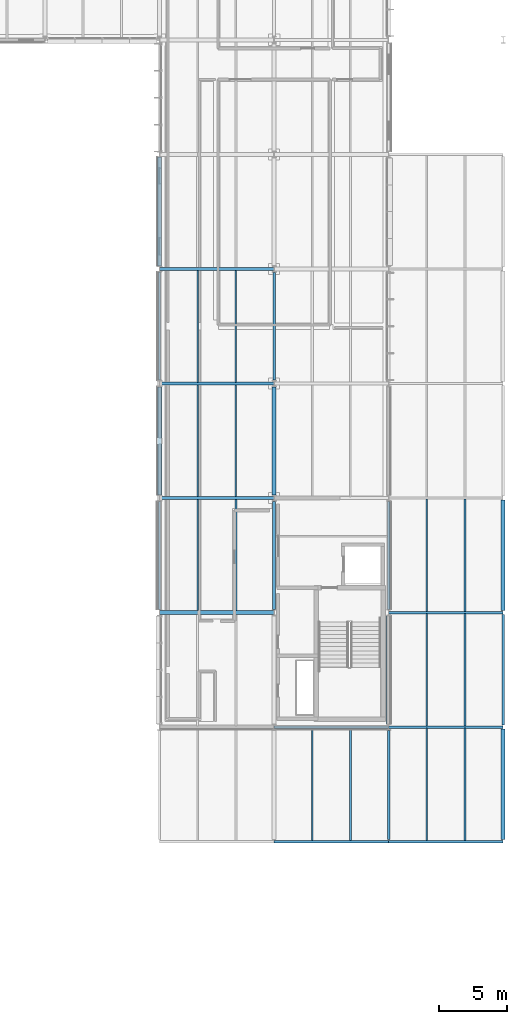
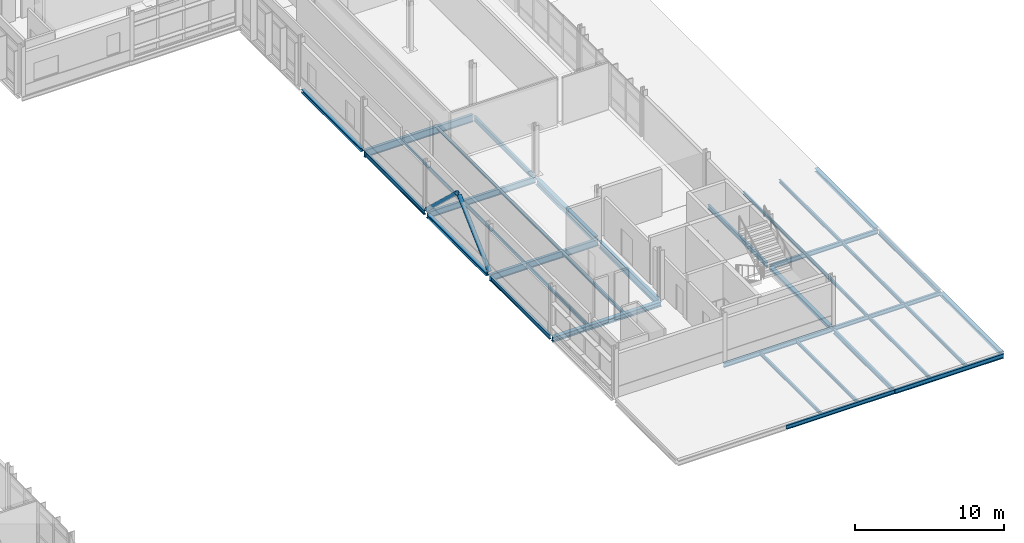
# One storey, part 92 of 151: 36 beams, 2 members.
"""IFC4 building model written with IfcOpenShell, lengths in metres."""

from ifc_helpers import new_model, si_unit, direction, frame, origin, origin_2d, place, context, subcontext, project, spatial, hollow_circle, i_section, extrude, material, material_profile, profile_set, type_object, element, save


model = new_model("IFC4")

# Units and contexts
model_context = context("Model", 3, precision=1e-05, world=origin(), true_north=direction((0.0, 1.0)))
body_context = subcontext(model_context, "Body", "Model", "MODEL_VIEW")
ifc_project = project(units=[si_unit("LENGTHUNIT", "METRE"), si_unit("AREAUNIT", "SQUARE_METRE"), si_unit("VOLUMEUNIT", "CUBIC_METRE"), si_unit("PLANEANGLEUNIT", "RADIAN"), si_unit("MASSUNIT", "GRAM", prefix="KILO")], contexts=[model_context])

# Site, building, storey
site_placement = place(None, origin())
site = spatial("IfcSite", under=ifc_project, at=site_placement, CompositionType="ELEMENT")
building_placement = place(site_placement, origin())
building = spatial("IfcBuilding", under=site, at=building_placement, Name="Mersafa Astral City Hall", CompositionType="ELEMENT")
storey_placement = place(building_placement, frame((0.0, 0.0, 9.89990234375)))
storey = spatial("IfcBuildingStorey", under=building, at=storey_placement, Name="L02", CompositionType="ELEMENT", Elevation=9.89990234375)

# Beams
ifc_material = material(Name="Steel S355", Category="steel")
ifc_material_profile_1 = material_profile(ifc_material, i_section(OverallWidth=0.300048828125, OverallDepth=0.389892578125, WebThickness=0.010986328125, FlangeThickness=0.01904296875, FilletRadius=0.027099609375, at=origin_2d()), Name="HEA 400")
ifc_profile_set_1 = profile_set([ifc_material_profile_1], Name="Steel S355")
beam_type_1 = type_object("IfcBeamType", Name="STR-BM-HEA400", PredefinedType="BEAM", material=ifc_profile_set_1)
beam_1_placement = place(storey_placement, frame((159.60302734375, 58.800048828125, -0.39501953125), z_axis=(1.0, 0.0, 0.0), x_axis=(0.0, 1.0, 0.0)))
element("IfcBeam", 1, at=beam_1_placement, inside=storey, type_object=beam_type_1, Name="L02 Primary girder X 19-7", PredefinedType="BEAM", context=body_context, shape_type="SweptSolid", body=[
    extrude(i_section(OverallWidth=0.300048828125, OverallDepth=0.389892578125, WebThickness=0.010986328125, FlangeThickness=0.01904296875, FilletRadius=0.027099609375, at=origin_2d()), origin(), (0.0, 0.0, 1.0), 8.39404296875),
])
ifc_material_profile_2 = material_profile(ifc_material, i_section(OverallWidth=0.300048828125, OverallDepth=0.489990234375, WebThickness=0.011962890625, FlangeThickness=0.02294921875, FilletRadius=0.027099609375, at=origin_2d()), Name="HEA 500")
ifc_profile_set_2 = profile_set([ifc_material_profile_2], Name="Steel S355")
beam_type_2 = type_object("IfcBeamType", Name="STR-BM-HEA500", PredefinedType="BEAM", material=ifc_profile_set_2)
beam_2_placement = place(storey_placement, frame((168.0, 67.445068359375, -0.44482421875), z_axis=(0.0, 1.0, 0.0), x_axis=(-1.0, 0.0, 0.0)))
element("IfcBeam", 2, at=beam_2_placement, inside=storey, type_object=beam_type_2, Name="L02 Primary girder Y 20-8", PredefinedType="BEAM", context=body_context, shape_type="SweptSolid", body=[
    extrude(i_section(OverallWidth=0.300048828125, OverallDepth=0.489990234375, WebThickness=0.011962890625, FlangeThickness=0.02294921875, FilletRadius=0.027099609375, at=origin_2d()), origin(), (0.0, 0.0, 1.0), 7.909912109375),
])
ifc_material_profile_3 = material_profile(ifc_material, i_section(OverallWidth=0.179931640625, OverallDepth=0.39990234375, WebThickness=0.008544921875, FlangeThickness=0.013427734375, FilletRadius=0.02099609375, at=origin_2d()), Name="IPE 400")
ifc_profile_set_3 = profile_set([ifc_material_profile_3], Name="Steel S355")
beam_type_3 = type_object("IfcBeamType", Name="STR-BM-IPE400", PredefinedType="BEAM", material=ifc_profile_set_3)
beam_3_placement = place(storey_placement, frame((168.0, 75.844970703125, -0.39990234375), z_axis=(0.0, 1.0, 0.0), x_axis=(-1.0, 0.0, 0.0)))
element("IfcBeam", 3, at=beam_3_placement, inside=storey, type_object=beam_type_3, Name="L02 Primary girder Y 20-9", PredefinedType="BEAM", context=body_context, shape_type="SweptSolid", body=[
    extrude(i_section(OverallWidth=0.179931640625, OverallDepth=0.39990234375, WebThickness=0.008544921875, FlangeThickness=0.013427734375, FilletRadius=0.02099609375, at=origin_2d()), origin(), (0.0, 0.0, 1.0), 7.909912109375),
])
ifc_material_profile_4 = material_profile(ifc_material, i_section(OverallWidth=0.199951171875, OverallDepth=0.5, WebThickness=0.01025390625, FlangeThickness=0.01611328125, FilletRadius=0.02099609375, at=origin_2d()), Name="IPE 500")
ifc_profile_set_4 = profile_set([ifc_material_profile_4], Name="Steel S355")
beam_type_4 = type_object("IfcBeamType", Name="STR-BM-IPE500", PredefinedType="BEAM", material=ifc_profile_set_4)
beam_4_placement = place(storey_placement, frame((159.60302734375, 75.60009765625, -0.449951171875), z_axis=(1.0, 0.0, 0.0), x_axis=(0.0, 1.0, 0.0)))
element("IfcBeam", 4, at=beam_4_placement, inside=storey, type_object=beam_type_4, Name="L02 Primary girder X 19-9", PredefinedType="BEAM", context=body_context, shape_type="SweptSolid", body=[
    extrude(i_section(OverallWidth=0.199951171875, OverallDepth=0.5, WebThickness=0.01025390625, FlangeThickness=0.01611328125, FilletRadius=0.02099609375, at=origin_2d()), origin(), (0.0, 0.0, 1.0), 8.39404296875),
])
ifc_material_profile_5 = material_profile(ifc_material, i_section(OverallWidth=0.2099609375, OverallDepth=0.550048828125, WebThickness=0.010986328125, FlangeThickness=0.01708984375, FilletRadius=0.02392578125, at=origin_2d()), Name="IPE 550")
ifc_profile_set_5 = profile_set([ifc_material_profile_5], Name="Steel S355")
beam_type_5 = type_object("IfcBeamType", Name="STR-BM-IPE550", PredefinedType="BEAM", material=ifc_profile_set_5)
beam_5_placement = place(storey_placement, frame((159.60302734375, 67.199951171875, -0.474853515625), z_axis=(1.0, 0.0, 0.0), x_axis=(0.0, 1.0, 0.0)))
element("IfcBeam", 5, at=beam_5_placement, inside=storey, type_object=beam_type_5, Name="L02 Primary girder X 19-8", PredefinedType="BEAM", context=body_context, shape_type="SweptSolid", body=[
    extrude(i_section(OverallWidth=0.2099609375, OverallDepth=0.550048828125, WebThickness=0.010986328125, FlangeThickness=0.01708984375, FilletRadius=0.02392578125, at=origin_2d()), origin(), (0.0, 0.0, 1.0), 8.39404296875),
])
ifc_material_profile_6 = material_profile(ifc_material, i_section(OverallWidth=0.219970703125, OverallDepth=0.60009765625, WebThickness=0.011962890625, FlangeThickness=0.01904296875, FilletRadius=0.02392578125, at=origin_2d()), Name="IPE 600")
ifc_profile_set_6 = profile_set([ifc_material_profile_6], Name="Steel S355")
beam_type_6 = type_object("IfcBeamType", Name="STR-BM-IPE600", PredefinedType="BEAM", material=ifc_profile_set_6)
beam_6_placement = place(storey_placement, frame((159.60302734375, 84.0, -0.5), z_axis=(1.0, 0.0, 0.0), x_axis=(0.0, 1.0, 0.0)))
element("IfcBeam", 6, at=beam_6_placement, inside=storey, type_object=beam_type_6, Name="L02 Primary girder X 19-10", PredefinedType="BEAM", context=body_context, shape_type="SweptSolid", body=[
    extrude(i_section(OverallWidth=0.219970703125, OverallDepth=0.60009765625, WebThickness=0.011962890625, FlangeThickness=0.01904296875, FilletRadius=0.02392578125, at=origin_2d()), origin(), (0.0, 0.0, 1.0), 8.39404296875),
])
beam_7_placement = place(storey_placement, frame((168.0, 59.044921875, -0.5), z_axis=(0.0, 1.0, 0.0), x_axis=(-1.0, 0.0, 0.0)))
element("IfcBeam", 7, at=beam_7_placement, inside=storey, type_object=beam_type_6, Name="L02 Primary girder Y 20-7", PredefinedType="BEAM", context=body_context, shape_type="SweptSolid", body=[
    extrude(i_section(OverallWidth=0.219970703125, OverallDepth=0.60009765625, WebThickness=0.011962890625, FlangeThickness=0.01904296875, FilletRadius=0.02392578125, at=origin_2d()), origin(), (0.0, 0.0, 1.0), 7.91015625),
])
ifc_material_profile_7 = material_profile(ifc_material, i_section(OverallWidth=0.110107421875, OverallDepth=0.219970703125, WebThickness=0.005859375, FlangeThickness=0.00927734375, FilletRadius=0.011962890625, at=origin_2d()), Name="IPE 220")
ifc_profile_set_7 = profile_set([ifc_material_profile_7], Name="Steel S355")
beam_type_7 = type_object("IfcBeamType", Name="STR-BM-JOIST-IPE220", PredefinedType="JOIST", material=ifc_profile_set_7)
for number, where, z_axis, x_axis, name in (
    (8, (162.39990234375, 75.695068359375, -0.309814453125), (0.0, 1.0, 0.0), (-1.0, 0.0, 0.0), "L02 Composite secondary floor joist 528"),
    (9, (165.199951171875, 75.695068359375, -0.309814453125), (0.0, 1.0, 0.0), (-1.0, 0.0, 0.0), "L02 Composite secondary floor joist 529"),
):
    element("IfcBeam", number, at=place(storey_placement, frame(where, z_axis=z_axis, x_axis=x_axis)), inside=storey, type_object=beam_type_7, Name=name, PredefinedType="JOIST", context=body_context, shape_type="SweptSolid", body=[
        extrude(i_section(OverallWidth=0.110107421875, OverallDepth=0.219970703125, WebThickness=0.005859375, FlangeThickness=0.00927734375, FilletRadius=0.011962890625, at=origin_2d()), origin(), (0.0, 0.0, 1.0), 8.199951171875),
    ])
ifc_material_profile_8 = material_profile(ifc_material, i_section(OverallWidth=0.1201171875, OverallDepth=0.239990234375, WebThickness=0.006103515625, FlangeThickness=0.009765625, FilletRadius=0.014892578125, at=origin_2d()), Name="IPE 240")
ifc_profile_set_8 = profile_set([ifc_material_profile_8], Name="Steel S355")
beam_type_8 = type_object("IfcBeamType", Name="STR-BM-JOIST-IPE240", PredefinedType="JOIST", material=ifc_profile_set_8)
for number, where, z_axis, x_axis, name in (
    (10, (162.39990234375, 67.300048828125, -0.31982421875), (0.0, 1.0, 0.0), (-1.0, 0.0, 0.0), "L02 Composite secondary floor joist 526"),
    (11, (165.199951171875, 67.300048828125, -0.31982421875), (0.0, 1.0, 0.0), (-1.0, 0.0, 0.0), "L02 Composite secondary floor joist 527"),
):
    element("IfcBeam", number, at=place(storey_placement, frame(where, z_axis=z_axis, x_axis=x_axis)), inside=storey, type_object=beam_type_8, Name=name, PredefinedType="JOIST", context=body_context, shape_type="SweptSolid", body=[
        extrude(i_section(OverallWidth=0.1201171875, OverallDepth=0.239990234375, WebThickness=0.006103515625, FlangeThickness=0.009765625, FilletRadius=0.014892578125, at=origin_2d()), origin(), (0.0, 0.0, 1.0), 8.204833984375),
    ])
ifc_material_profile_9 = material_profile(ifc_material, i_section(OverallWidth=0.135009765625, OverallDepth=0.27001953125, WebThickness=0.006591796875, FlangeThickness=0.01025390625, FilletRadius=0.014892578125, at=origin_2d()), Name="IPE 270")
ifc_profile_set_9 = profile_set([ifc_material_profile_9], Name="Steel S355")
beam_type_9 = type_object("IfcBeamType", Name="STR-BM-JOIST-IPE270", PredefinedType="JOIST", material=ifc_profile_set_9)
for number, where, z_axis, x_axis, name in (
    (12, (162.39990234375, 58.945068359375, -0.3349609375), (0.0, 1.0, 0.0), (-1.0, 0.0, 0.0), "L02 Composite secondary floor joist 524"),
    (13, (165.199951171875, 58.945068359375, -0.3349609375), (0.0, 1.0, 0.0), (-1.0, 0.0, 0.0), "L02 Composite secondary floor joist 525"),
):
    element("IfcBeam", number, at=place(storey_placement, frame(where, z_axis=z_axis, x_axis=x_axis)), inside=storey, type_object=beam_type_9, Name=name, PredefinedType="JOIST", context=body_context, shape_type="SweptSolid", body=[
        extrude(i_section(OverallWidth=0.135009765625, OverallDepth=0.27001953125, WebThickness=0.006591796875, FlangeThickness=0.01025390625, FilletRadius=0.014892578125, at=origin_2d()), origin(), (0.0, 0.0, 1.0), 8.155029296875),
    ])
for number, where, z_axis, x_axis, name in (
    (14, (170.800048828125, 42.074951171875, -0.3349609375), (0.0, 1.0, 0.0), (-1.0, 0.0, 0.0), "L02 Flat roof secondary joist 21"),
    (15, (173.60009765625, 42.074951171875, -0.3349609375), (0.0, 1.0, 0.0), (-1.0, 0.0, 0.0), "L02 Flat roof secondary joist 22"),
):
    element("IfcBeam", number, at=place(storey_placement, frame(where, z_axis=z_axis, x_axis=x_axis)), inside=storey, type_object=beam_type_9, Name=name, PredefinedType="JOIST", context=body_context, shape_type="SweptSolid", body=[
        extrude(i_section(OverallWidth=0.135009765625, OverallDepth=0.27001953125, WebThickness=0.006591796875, FlangeThickness=0.01025390625, FilletRadius=0.014892578125, at=origin_2d()), origin(), (0.0, 0.0, 1.0), 8.2451171875),
    ])
for number, where, z_axis, x_axis, name in (
    (16, (179.199951171875, 42.080078125, -0.3349609375), (0.0, 1.0, 0.0), (-1.0, 0.0, 0.0), "L02 Flat roof secondary joist 23"),
    (17, (182.0, 42.080078125, -0.3349609375), (0.0, 1.0, 0.0), (-1.0, 0.0, 0.0), "L02 Flat roof secondary joist 24"),
    (18, (179.199951171875, 50.47509765625, -0.3349609375), (0.0, 1.0, 0.0), (-1.0, 0.0, 0.0), "L02 Flat roof secondary joist 25"),
    (19, (182.0, 50.47509765625, -0.3349609375), (0.0, 1.0, 0.0), (-1.0, 0.0, 0.0), "L02 Flat roof secondary joist 26"),
):
    element("IfcBeam", number, at=place(storey_placement, frame(where, z_axis=z_axis, x_axis=x_axis)), inside=storey, type_object=beam_type_9, Name=name, PredefinedType="JOIST", context=body_context, shape_type="SweptSolid", body=[
        extrude(i_section(OverallWidth=0.135009765625, OverallDepth=0.27001953125, WebThickness=0.006591796875, FlangeThickness=0.01025390625, FilletRadius=0.014892578125, at=origin_2d()), origin(), (0.0, 0.0, 1.0), 8.244873046875),
    ])
for number, where, z_axis, x_axis, name in (
    (20, (179.199951171875, 58.8798828125, -0.3349609375), (0.0, 1.0, 0.0), (-1.0, 0.0, 0.0), "L02 Flat roof secondary joist 27"),
    (21, (182.0, 58.8798828125, -0.3349609375), (0.0, 1.0, 0.0), (-1.0, 0.0, 0.0), "L02 Flat roof secondary joist 28"),
):
    element("IfcBeam", number, at=place(storey_placement, frame(where, z_axis=z_axis, x_axis=x_axis)), inside=storey, type_object=beam_type_9, Name=name, PredefinedType="JOIST", context=body_context, shape_type="SweptSolid", body=[
        extrude(i_section(OverallWidth=0.135009765625, OverallDepth=0.27001953125, WebThickness=0.006591796875, FlangeThickness=0.01025390625, FilletRadius=0.014892578125, at=origin_2d()), origin(), (0.0, 0.0, 1.0), 8.2451171875),
    ])
ifc_material_profile_10 = material_profile(ifc_material, i_section(OverallWidth=0.280029296875, OverallDepth=0.27001953125, WebThickness=0.008056640625, FlangeThickness=0.012939453125, FilletRadius=0.02392578125, at=origin_2d()), Name="HEA 280")
ifc_profile_set_10 = profile_set([ifc_material_profile_10], Name="Steel S355")
beam_type_10 = type_object("IfcBeamType", Name="STR-BM-SPANDREL-HEA280", PredefinedType="SPANDREL", material=ifc_profile_set_10)
beam_8_placement = place(storey_placement, frame((159.60009765625, 67.445068359375, -0.3349609375), z_axis=(0.0, 1.0, 0.0), x_axis=(-1.0, 0.0, 0.0)))
element("IfcBeam", 22, at=beam_8_placement, inside=storey, type_object=beam_type_10, Name="L02 Primary girder Y 19-8", PredefinedType="SPANDREL", context=body_context, shape_type="SweptSolid", body=[
    extrude(i_section(OverallWidth=0.280029296875, OverallDepth=0.27001953125, WebThickness=0.008056640625, FlangeThickness=0.012939453125, FilletRadius=0.02392578125, at=origin_2d()), origin(), (0.0, 0.0, 1.0), 7.909912109375),
])
beam_9_placement = place(storey_placement, frame((159.60009765625, 84.219970703125, -0.3349609375), z_axis=(0.0, 1.0, 0.0), x_axis=(-1.0, 0.0, 0.0)))
element("IfcBeam", 23, at=beam_9_placement, inside=storey, type_object=beam_type_10, Name="L02 Primary girder Y 19-10", PredefinedType="SPANDREL", context=body_context, shape_type="SweptSolid", body=[
    extrude(i_section(OverallWidth=0.280029296875, OverallDepth=0.27001953125, WebThickness=0.008056640625, FlangeThickness=0.012939453125, FilletRadius=0.02392578125, at=origin_2d()), origin(), (0.0, 0.0, 1.0), 7.985107421875),
])
beam_10_placement = place(storey_placement, frame((176.39990234375, 50.64501953125, -0.3349609375), z_axis=(0.0, 1.0, 0.0), x_axis=(-1.0, 0.0, 0.0)))
element("IfcBeam", 24, at=beam_10_placement, inside=storey, type_object=beam_type_10, Name="L02 Primary girder Y 21-6", PredefinedType="SPANDREL", context=body_context, shape_type="SweptSolid", body=[
    extrude(i_section(OverallWidth=0.280029296875, OverallDepth=0.27001953125, WebThickness=0.008056640625, FlangeThickness=0.012939453125, FilletRadius=0.02392578125, at=origin_2d()), origin(), (0.0, 0.0, 1.0), 7.909912109375),
])
for number, where, z_axis, x_axis, name in (
    (25, (184.800048828125, 42.14501953125, -0.3349609375), (0.0, 1.0, 0.0), (-1.0, 0.0, 0.0), "L02 Primary girder Y 22-5"),
    (26, (184.800048828125, 58.945068359375, -0.3349609375), (0.0, 1.0, 0.0), (-1.0, 0.0, 0.0), "L02 Primary girder Y 22-7"),
):
    element("IfcBeam", number, at=place(storey_placement, frame(where, z_axis=z_axis, x_axis=x_axis)), inside=storey, type_object=beam_type_10, Name=name, PredefinedType="SPANDREL", context=body_context, shape_type="SweptSolid", body=[
        extrude(i_section(OverallWidth=0.280029296875, OverallDepth=0.27001953125, WebThickness=0.008056640625, FlangeThickness=0.012939453125, FilletRadius=0.02392578125, at=origin_2d()), origin(), (0.0, 0.0, 1.0), 8.10986328125),
    ])
ifc_material_profile_11 = material_profile(ifc_material, i_section(OverallWidth=0.159912109375, OverallDepth=0.330078125, WebThickness=0.007568359375, FlangeThickness=0.011474609375, FilletRadius=0.01806640625, at=origin_2d()), Name="IPE 330")
ifc_profile_set_11 = profile_set([ifc_material_profile_11], Name="Steel S355")
beam_type_11 = type_object("IfcBeamType", Name="STR-BM-SPANDREL-IPE330", PredefinedType="SPANDREL", material=ifc_profile_set_11)
for number, where, z_axis, x_axis, name in (
    (27, (168.0029296875, 42.0, -0.364990234375), (1.0, 0.0, 0.0), (0.0, 1.0, 0.0), "L02 Primary girder X 20-5"),
    (28, (176.403076171875, 50.39990234375, -0.364990234375), (1.0, 0.0, 0.0), (0.0, 1.0, 0.0), "L02 Primary girder X 21-6"),
):
    element("IfcBeam", number, at=place(storey_placement, frame(where, z_axis=z_axis, x_axis=x_axis)), inside=storey, type_object=beam_type_11, Name=name, PredefinedType="SPANDREL", context=body_context, shape_type="SweptSolid", body=[
        extrude(i_section(OverallWidth=0.159912109375, OverallDepth=0.330078125, WebThickness=0.007568359375, FlangeThickness=0.011474609375, FilletRadius=0.01806640625, at=origin_2d()), origin(), (0.0, 0.0, 1.0), 8.39404296875),
    ])
ifc_material_profile_12 = material_profile(ifc_material, i_section(OverallWidth=0.169921875, OverallDepth=0.360107421875, WebThickness=0.008056640625, FlangeThickness=0.0126953125, FilletRadius=0.01806640625, at=origin_2d()), Name="IPE 360")
ifc_profile_set_12 = profile_set([ifc_material_profile_12], Name="Steel S355")
beam_type_12 = type_object("IfcBeamType", Name="STR-BM-SPANDREL-IPE360", PredefinedType="SPANDREL", material=ifc_profile_set_12)
for number, where, z_axis, x_axis, name in (
    (29, (176.403076171875, 42.0, -0.3798828125), (1.0, 0.0, 0.0), (0.0, 1.0, 0.0), "L02 Primary girder X 21-5"),
    (30, (168.0029296875, 50.39990234375, -0.3798828125), (1.0, 0.0, 0.0), (0.0, 1.0, 0.0), "L02 Primary girder X 20-6"),
    (31, (176.403076171875, 58.800048828125, -0.3798828125), (1.0, 0.0, 0.0), (0.0, 1.0, 0.0), "L02 Primary girder X 21-7"),
):
    element("IfcBeam", number, at=place(storey_placement, frame(where, z_axis=z_axis, x_axis=x_axis)), inside=storey, type_object=beam_type_12, Name=name, PredefinedType="SPANDREL", context=body_context, shape_type="SweptSolid", body=[
        extrude(i_section(OverallWidth=0.169921875, OverallDepth=0.360107421875, WebThickness=0.008056640625, FlangeThickness=0.0126953125, FilletRadius=0.01806640625, at=origin_2d()), origin(), (0.0, 0.0, 1.0), 8.39404296875),
    ])
beam_11_placement = place(storey_placement, frame((159.60009765625, 59.044921875, -0.3798828125), z_axis=(0.0, 1.0, 0.0), x_axis=(-1.0, 0.0, 0.0)))
element("IfcBeam", 32, at=beam_11_placement, inside=storey, type_object=beam_type_12, Name="L02 Primary girder Y 19-7", PredefinedType="SPANDREL", context=body_context, shape_type="SweptSolid", body=[
    extrude(i_section(OverallWidth=0.169921875, OverallDepth=0.360107421875, WebThickness=0.008056640625, FlangeThickness=0.0126953125, FilletRadius=0.01806640625, at=origin_2d()), origin(), (0.0, 0.0, 1.0), 7.91015625),
])
beam_12_placement = place(storey_placement, frame((159.60009765625, 75.844970703125, -0.3798828125), z_axis=(0.0, 1.0, 0.0), x_axis=(-1.0, 0.0, 0.0)))
element("IfcBeam", 33, at=beam_12_placement, inside=storey, type_object=beam_type_12, Name="L02 Primary girder Y 19-9", PredefinedType="SPANDREL", context=body_context, shape_type="SweptSolid", body=[
    extrude(i_section(OverallWidth=0.169921875, OverallDepth=0.360107421875, WebThickness=0.008056640625, FlangeThickness=0.0126953125, FilletRadius=0.01806640625, at=origin_2d()), origin(), (0.0, 0.0, 1.0), 7.93505859375),
])
beam_13_placement = place(storey_placement, frame((176.39990234375, 42.14501953125, -0.3798828125), z_axis=(0.0, 1.0, 0.0), x_axis=(-1.0, 0.0, 0.0)))
element("IfcBeam", 34, at=beam_13_placement, inside=storey, type_object=beam_type_12, Name="L02 Primary girder Y 21-5", PredefinedType="SPANDREL", context=body_context, shape_type="SweptSolid", body=[
    extrude(i_section(OverallWidth=0.169921875, OverallDepth=0.360107421875, WebThickness=0.008056640625, FlangeThickness=0.0126953125, FilletRadius=0.01806640625, at=origin_2d()), origin(), (0.0, 0.0, 1.0), 8.010009765625),
])
beam_14_placement = place(storey_placement, frame((176.39990234375, 59.044921875, -0.3798828125), z_axis=(0.0, 1.0, 0.0), x_axis=(-1.0, 0.0, 0.0)))
element("IfcBeam", 35, at=beam_14_placement, inside=storey, type_object=beam_type_12, Name="L02 Primary girder Y 21-7", PredefinedType="SPANDREL", context=body_context, shape_type="SweptSolid", body=[
    extrude(i_section(OverallWidth=0.169921875, OverallDepth=0.360107421875, WebThickness=0.008056640625, FlangeThickness=0.0126953125, FilletRadius=0.01806640625, at=origin_2d()), origin(), (0.0, 0.0, 1.0), 7.91015625),
])
beam_15_placement = place(storey_placement, frame((184.800048828125, 50.544921875, -0.3798828125), z_axis=(0.0, 1.0, 0.0), x_axis=(-1.0, 0.0, 0.0)))
element("IfcBeam", 36, at=beam_15_placement, inside=storey, type_object=beam_type_12, Name="L02 Primary girder Y 22-6", PredefinedType="SPANDREL", context=body_context, shape_type="SweptSolid", body=[
    extrude(i_section(OverallWidth=0.169921875, OverallDepth=0.360107421875, WebThickness=0.008056640625, FlangeThickness=0.0126953125, FilletRadius=0.01806640625, at=origin_2d()), origin(), (0.0, 0.0, 1.0), 8.110107421875),
])

# Members
ifc_material_profile_13 = material_profile(ifc_material, hollow_circle(Radius=0.161865234375, WallThickness=0.01611328125, at=origin_2d()), Name="CHS 323.9x16")
ifc_profile_set_13 = profile_set([ifc_material_profile_13], Name="Steel S355")
member_type = type_object("IfcMemberType", Name="STR-MBR-BRACE-CHS324", PredefinedType="BRACE", material=ifc_profile_set_13)
for number, where, z_axis, x_axis, name in (
    (37, (159.60009765625, 67.197998046875, 0.02001953125), (0.0, 0.728468582191, 0.685079210574), (-1.0, 0.0, 0.0), "L02 Chevron lateral brace 34A"),
    (38, (159.60009765625, 75.60205078125, 0.02001953125), (0.0, -0.728468582191, 0.685079210574), (1.0, 0.0, 0.0), "L02 Chevron lateral brace 34B"),
):
    element("IfcMember", number, at=place(storey_placement, frame(where, z_axis=z_axis, x_axis=x_axis)), inside=storey, type_object=member_type, Name=name, PredefinedType="BRACE", context=body_context, shape_type="SweptSolid", body=[
        extrude(hollow_circle(Radius=0.161865234375, WallThickness=0.01611328125, at=origin_2d()), origin(), (0.0, 0.0, 1.0), 5.576171875),
    ])

save(model, "model.ifc")
